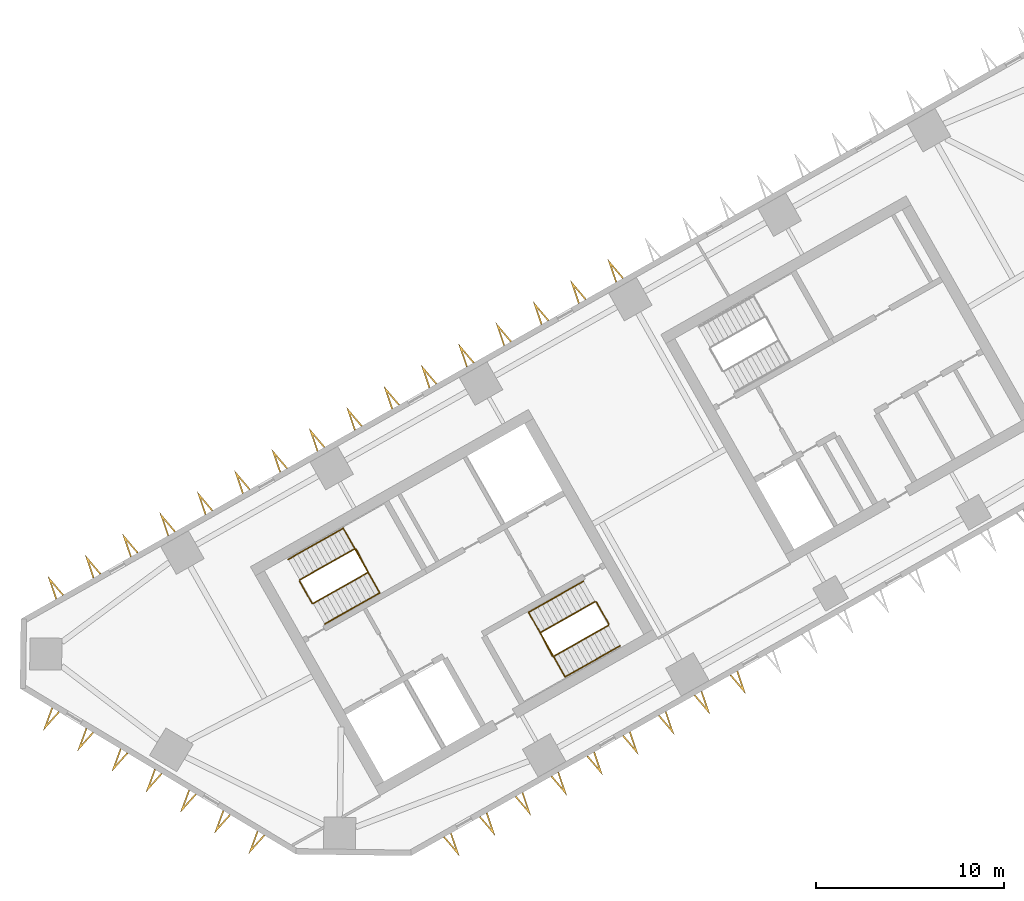
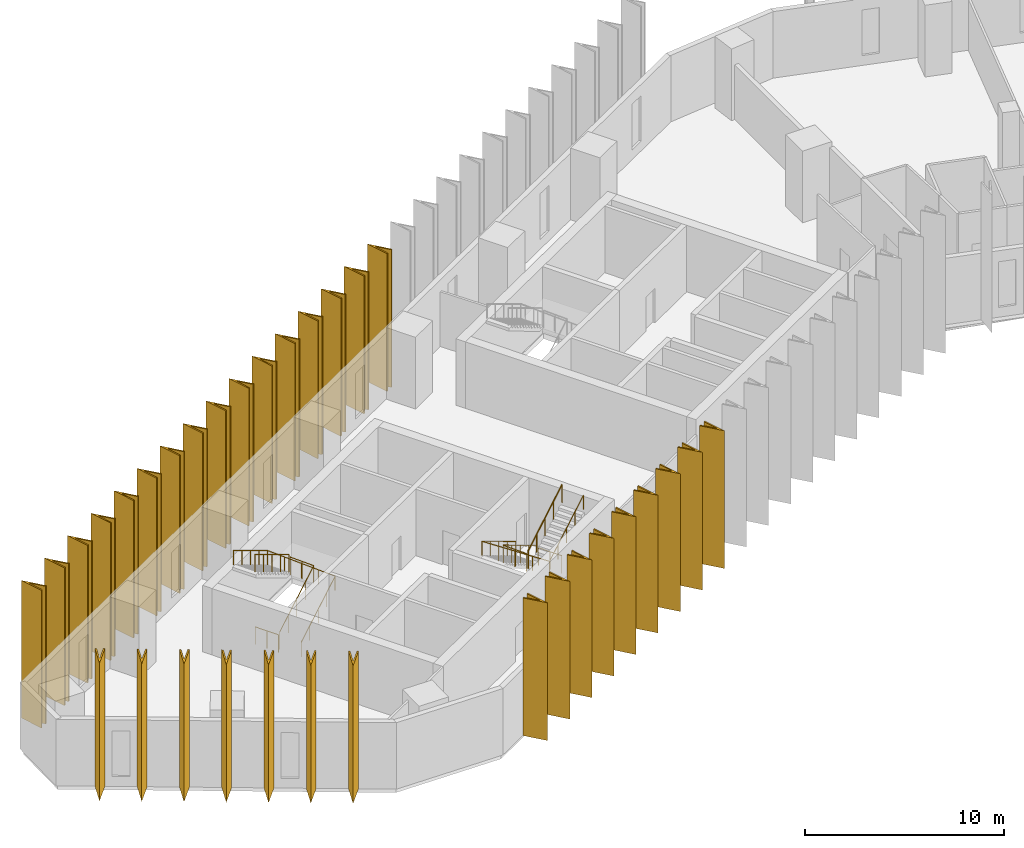
# One storey, part 9 of 11: 32 shading devices, 8 railings.
"""IFC4 building model written with IfcOpenShell, lengths in metres."""

from ifc_helpers import new_model, si_unit, direction, frame, origin, origin_2d, place, context, subcontext, project, spatial, polyline, circle, outline, extrude, material, type_object, element, save


model = new_model("IFC4")

# Units and contexts
model_context = context("Model", 3, precision=1e-05, world=origin(), true_north=direction((0.0, 1.0)))
body_context = subcontext(model_context, "Body", "Model", "MODEL_VIEW")
ifc_project = project(units=[si_unit("LENGTHUNIT", "METRE"), si_unit("AREAUNIT", "SQUARE_METRE"), si_unit("VOLUMEUNIT", "CUBIC_METRE"), si_unit("PLANEANGLEUNIT", "RADIAN"), si_unit("MASSUNIT", "GRAM", prefix="KILO")], contexts=[model_context])

# Site, building, storey
site_placement = place(None, origin())
site = spatial("IfcSite", under=ifc_project, at=site_placement, CompositionType="ELEMENT")
building_placement = place(site_placement, origin())
building = spatial("IfcBuilding", under=site, at=building_placement, Name="Binnacle Exchange Tower", CompositionType="ELEMENT")
storey_placement = place(building_placement, frame((0.0, 0.0, 141.10009765625)))
storey = spatial("IfcBuildingStorey", under=building, at=storey_placement, Name="L29", CompositionType="ELEMENT", Elevation=141.10009765625)

# Railings
ifc_material_1 = material(Name="Steel guard rail", Category="steel")
railing_type_1 = type_object("IfcRailingType", Name="STAIR GUARD 1100", PredefinedType="GUARDRAIL", material=ifc_material_1)
railing_1_placement = place(storey_placement, frame((-43.26171875, 39.71728515625, 0.169189453125)))
element("IfcRailing", 1, at=railing_1_placement, inside=storey, type_object=railing_type_1, Name="L29 STA1 stair guard 1", PredefinedType="GUARDRAIL", context=body_context, shape_type="SweptSolid", body=[
    extrude(circle(Radius=0.02392578125, at=origin_2d()), frame((0.0, 0.0, 1.076171875), z_axis=(0.744867460262, 0.421436531824, 0.517265614832), x_axis=(-0.492433119026, 0.870350287693, 0.0)), (0.0, 0.0, 1.0), 3.926025390625),
    extrude(circle(Radius=0.02392578125, at=origin_2d()), frame((2.92431640625, 1.654541015625, 3.10693359375), z_axis=(-0.460963092712, 0.887419307406, 0.0), x_axis=(-0.887419307406, -0.460963092712, 0.0)), (0.0, 0.0, 1.0), 1.40087890625),
    extrude(circle(Radius=0.02099609375, at=origin_2d()), origin(), (0.0, 0.0, 1.0), 1.052001953125),
    extrude(circle(Radius=0.02099609375, at=origin_2d()), frame((0.73095703125, 0.41357421875, 0.5078125)), (0.0, 0.0, 1.0), 1.052001953125),
    extrude(circle(Radius=0.02099609375, at=origin_2d()), frame((1.462158203125, 0.8271484375, 1.015380859375)), (0.0, 0.0, 1.0), 1.052001953125),
    extrude(circle(Radius=0.02099609375, at=origin_2d()), frame((2.193359375, 1.240966796875, 1.52294921875)), (0.0, 0.0, 1.0), 1.052001953125),
    extrude(circle(Radius=0.02099609375, at=origin_2d()), frame((2.92431640625, 1.654541015625, 2.03076171875)), (0.0, 0.0, 1.0), 1.052001953125),
    extrude(circle(Radius=0.02099609375, at=origin_2d()), frame((2.6015625, 2.276123046875, 2.03076171875)), (0.0, 0.0, 1.0), 1.052001953125),
    extrude(circle(Radius=0.02099609375, at=origin_2d()), frame((2.278564453125, 2.897705078125, 2.03076171875)), (0.0, 0.0, 1.0), 1.052001953125),
])
railing_2_placement = place(storey_placement, frame((-41.05126953125, 42.6337890625, 2.369140625)))
element("IfcRailing", 2, at=railing_2_placement, inside=storey, type_object=railing_type_1, Name="L29 STA1 stair guard 2", PredefinedType="GUARDRAIL", context=body_context, shape_type="SweptSolid", body=[
    extrude(circle(Radius=0.02392578125, at=origin_2d()), frame((0.0, 0.0, 1.076171875), z_axis=(-0.744895141965, -0.421417011194, 0.517241655469), x_axis=(0.49240197835, -0.870367905955, 0.0)), (0.0, 0.0, 1.0), 3.926025390625),
    extrude(circle(Radius=0.02099609375, at=origin_2d()), origin(), (0.0, 0.0, 1.0), 1.052001953125),
    extrude(circle(Radius=0.02099609375, at=origin_2d()), frame((-0.731201171875, -0.41357421875, 0.5078125)), (0.0, 0.0, 1.0), 1.052001953125),
    extrude(circle(Radius=0.02099609375, at=origin_2d()), frame((-1.46240234375, -0.8271484375, 1.015380859375)), (0.0, 0.0, 1.0), 1.052001953125),
    extrude(circle(Radius=0.02099609375, at=origin_2d()), frame((-2.193359375, -1.240966796875, 1.52294921875)), (0.0, 0.0, 1.0), 1.052001953125),
    extrude(circle(Radius=0.02099609375, at=origin_2d()), frame((-2.924560546875, -1.654541015625, 2.03076171875)), (0.0, 0.0, 1.0), 1.052001953125),
])
railing_3_placement = place(storey_placement, frame((-43.329833984375, 39.736328125, 0.0)))
element("IfcRailing", 3, at=railing_3_placement, inside=storey, type_object=railing_type_1, Name="L29 STA1 stair guard 3", PredefinedType="GUARDRAIL", context=body_context, shape_type="SweptSolid", body=[
    extrude(circle(Radius=0.02392578125, at=origin_2d()), frame((0.0, 0.0, 1.076171875), z_axis=(-0.4924922531, 0.870316827734, 0.0), x_axis=(-0.870316827734, -0.4924922531, 0.0)), (0.0, 0.0, 1.0), 1.349853515625),
    extrude(circle(Radius=0.02099609375, at=origin_2d()), origin(), (0.0, 0.0, 1.0), 1.052001953125),
    extrude(circle(Radius=0.02099609375, at=origin_2d()), frame((-0.33251953125, 0.58740234375, 0.0)), (0.0, 0.0, 1.0), 1.052001953125),
    extrude(circle(Radius=0.02099609375, at=origin_2d()), frame((-0.664794921875, 1.1748046875, 0.0)), (0.0, 0.0, 1.0), 1.052001953125),
])
railing_4_placement = place(storey_placement, frame((-28.265380859375, 39.814453125, 0.169189453125)))
element("IfcRailing", 4, at=railing_4_placement, inside=storey, type_object=railing_type_1, Name="L29 STA2 stair guard 1", PredefinedType="GUARDRAIL", context=body_context, shape_type="SweptSolid", body=[
    extrude(circle(Radius=0.02392578125, at=origin_2d()), frame((0.0, 0.0, 1.076171875), z_axis=(-0.744895141965, -0.421417011194, 0.517241655469), x_axis=(0.49240197835, -0.870367905955, 0.0)), (0.0, 0.0, 1.0), 3.926025390625),
    extrude(circle(Radius=0.02392578125, at=origin_2d()), frame((-2.924560546875, -1.654541015625, 3.10693359375), z_axis=(0.461100321709, -0.887348011391, 0.0), x_axis=(0.887348011391, 0.461100321709, 0.0)), (0.0, 0.0, 1.0), 1.40087890625),
    extrude(circle(Radius=0.02099609375, at=origin_2d()), origin(), (0.0, 0.0, 1.0), 1.052001953125),
    extrude(circle(Radius=0.02099609375, at=origin_2d()), frame((-0.731201171875, -0.41357421875, 0.5078125)), (0.0, 0.0, 1.0), 1.052001953125),
    extrude(circle(Radius=0.02099609375, at=origin_2d()), frame((-1.46240234375, -0.8271484375, 1.015380859375)), (0.0, 0.0, 1.0), 1.052001953125),
    extrude(circle(Radius=0.02099609375, at=origin_2d()), frame((-2.193359375, -1.240966796875, 1.52294921875)), (0.0, 0.0, 1.0), 1.052001953125),
    extrude(circle(Radius=0.02099609375, at=origin_2d()), frame((-2.924560546875, -1.654541015625, 2.03076171875)), (0.0, 0.0, 1.0), 1.052001953125),
    extrude(circle(Radius=0.02099609375, at=origin_2d()), frame((-2.6015625, -2.276123046875, 2.03076171875)), (0.0, 0.0, 1.0), 1.052001953125),
    extrude(circle(Radius=0.02099609375, at=origin_2d()), frame((-2.278564453125, -2.897705078125, 2.03076171875)), (0.0, 0.0, 1.0), 1.052001953125),
])
railing_5_placement = place(storey_placement, frame((-30.475830078125, 36.89794921875, 2.369140625)))
element("IfcRailing", 5, at=railing_5_placement, inside=storey, type_object=railing_type_1, Name="L29 STA2 stair guard 2", PredefinedType="GUARDRAIL", context=body_context, shape_type="SweptSolid", body=[
    extrude(circle(Radius=0.02392578125, at=origin_2d()), frame((0.0, 0.0, 1.076171875), z_axis=(0.744867460262, 0.421436531824, 0.517265614832), x_axis=(-0.492433119026, 0.870350287693, 0.0)), (0.0, 0.0, 1.0), 3.926025390625),
    extrude(circle(Radius=0.02099609375, at=origin_2d()), origin(), (0.0, 0.0, 1.0), 1.052001953125),
    extrude(circle(Radius=0.02099609375, at=origin_2d()), frame((0.73095703125, 0.41357421875, 0.5078125)), (0.0, 0.0, 1.0), 1.052001953125),
    extrude(circle(Radius=0.02099609375, at=origin_2d()), frame((1.462158203125, 0.8271484375, 1.015380859375)), (0.0, 0.0, 1.0), 1.052001953125),
    extrude(circle(Radius=0.02099609375, at=origin_2d()), frame((2.193359375, 1.240966796875, 1.52294921875)), (0.0, 0.0, 1.0), 1.052001953125),
    extrude(circle(Radius=0.02099609375, at=origin_2d()), frame((2.92431640625, 1.654541015625, 2.03076171875)), (0.0, 0.0, 1.0), 1.052001953125),
])
railing_6_placement = place(storey_placement, frame((-28.197265625, 39.795654296875, 0.0)))
element("IfcRailing", 6, at=railing_6_placement, inside=storey, type_object=railing_type_1, Name="L29 STA2 stair guard 3", PredefinedType="GUARDRAIL", context=body_context, shape_type="SweptSolid", body=[
    extrude(circle(Radius=0.02392578125, at=origin_2d()), frame((0.0, 0.0, 1.076171875), z_axis=(0.49241474071, -0.870360685654, 0.0), x_axis=(0.870360685654, 0.49241474071, 0.0)), (0.0, 0.0, 1.0), 1.35009765625),
    extrude(circle(Radius=0.02099609375, at=origin_2d()), origin(), (0.0, 0.0, 1.0), 1.052001953125),
    extrude(circle(Radius=0.02099609375, at=origin_2d()), frame((0.33251953125, -0.58740234375, 0.0)), (0.0, 0.0, 1.0), 1.052001953125),
    extrude(circle(Radius=0.02099609375, at=origin_2d()), frame((0.664794921875, -1.175048828125, 0.0)), (0.0, 0.0, 1.0), 1.052001953125),
])
ifc_material_2 = material(Name="Steel handrail", Category="steel")
railing_type_2 = type_object("IfcRailingType", Name="STAIR HANDRAIL 900", PredefinedType="HANDRAIL", material=ifc_material_2)
railing_7_placement = place(storey_placement, frame((-42.646240234375, 38.62939453125, 0.169189453125)))
element("IfcRailing", 7, at=railing_7_placement, inside=storey, type_object=railing_type_2, Name="L29 STA1 stair handrail 1", PredefinedType="HANDRAIL", context=body_context, shape_type="SweptSolid", body=[
    extrude(circle(Radius=0.02392578125, at=origin_2d()), frame((0.0, 0.0, 0.8759765625), z_axis=(0.744867460262, 0.421436531824, 0.517265614832), x_axis=(-0.492433119026, 0.870350287693, 0.0)), (0.0, 0.0, 1.0), 3.926025390625),
    extrude(circle(Radius=0.02392578125, at=origin_2d()), frame((2.92431640625, 1.654541015625, 2.90673828125), z_axis=(-0.491962556146, 0.869564041126, 0.04279277663), x_axis=(-0.870361318571, -0.492413622004, 0.0)), (0.0, 0.0, 1.0), 3.95361328125),
    extrude(circle(Radius=0.02392578125, at=origin_2d()), frame((0.979248046875, 5.092529296875, 3.07568359375), z_axis=(-0.744867460262, -0.421436531824, 0.517265614832), x_axis=(0.492433119026, -0.870350287693, 0.0)), (0.0, 0.0, 1.0), 3.926025390625),
    extrude(circle(Radius=0.02099609375, at=origin_2d()), origin(), (0.0, 0.0, 1.0), 0.851806640625),
    extrude(circle(Radius=0.02099609375, at=origin_2d()), frame((0.73095703125, 0.41357421875, 0.5078125)), (0.0, 0.0, 1.0), 0.851806640625),
    extrude(circle(Radius=0.02099609375, at=origin_2d()), frame((1.462158203125, 0.8271484375, 1.015380859375)), (0.0, 0.0, 1.0), 0.851806640625),
    extrude(circle(Radius=0.02099609375, at=origin_2d()), frame((2.193359375, 1.240966796875, 1.52294921875)), (0.0, 0.0, 1.0), 0.851806640625),
    extrude(circle(Radius=0.02099609375, at=origin_2d()), frame((2.92431640625, 1.654541015625, 2.03076171875)), (0.0, 0.0, 1.0), 0.851806640625),
    extrude(circle(Radius=0.02099609375, at=origin_2d()), frame((2.43798828125, 2.51416015625, 2.072998046875)), (0.0, 0.0, 1.0), 0.851806640625),
    extrude(circle(Radius=0.02099609375, at=origin_2d()), frame((1.95166015625, 3.37353515625, 2.115234375)), (0.0, 0.0, 1.0), 0.851806640625),
    extrude(circle(Radius=0.02099609375, at=origin_2d()), frame((1.465576171875, 4.23291015625, 2.15771484375)), (0.0, 0.0, 1.0), 0.851806640625),
    extrude(circle(Radius=0.02099609375, at=origin_2d()), frame((0.979248046875, 5.092529296875, 2.199951171875)), (0.0, 0.0, 1.0), 0.851806640625),
    extrude(circle(Radius=0.02099609375, at=origin_2d()), frame((0.248046875, 4.678955078125, 2.70751953125)), (0.0, 0.0, 1.0), 0.851806640625),
    extrude(circle(Radius=0.02099609375, at=origin_2d()), frame((-0.48291015625, 4.26513671875, 3.21533203125)), (0.0, 0.0, 1.0), 0.851806640625),
    extrude(circle(Radius=0.02099609375, at=origin_2d()), frame((-1.2138671875, 3.8515625, 3.72314453125)), (0.0, 0.0, 1.0), 0.851806640625),
    extrude(circle(Radius=0.02099609375, at=origin_2d()), frame((-1.945068359375, 3.43798828125, 4.230712890625)), (0.0, 0.0, 1.0), 0.851806640625),
])
railing_8_placement = place(storey_placement, frame((-28.880859375, 40.90234375, 0.169189453125)))
element("IfcRailing", 8, at=railing_8_placement, inside=storey, type_object=railing_type_2, Name="L29 STA2 stair handrail 1", PredefinedType="HANDRAIL", context=body_context, shape_type="SweptSolid", body=[
    extrude(circle(Radius=0.02392578125, at=origin_2d()), frame((0.0, 0.0, 0.8759765625), z_axis=(-0.744895141965, -0.421417011194, 0.517241655469), x_axis=(0.49240197835, -0.870367905955, 0.0)), (0.0, 0.0, 1.0), 3.926025390625),
    extrude(circle(Radius=0.02392578125, at=origin_2d()), frame((-2.924560546875, -1.654541015625, 2.90673828125), z_axis=(0.491988973567, -0.869548981648, 0.042795074518), x_axis=(0.87034633103, 0.492440112159, 0.0)), (0.0, 0.0, 1.0), 3.953369140625),
    extrude(circle(Radius=0.02392578125, at=origin_2d()), frame((-0.9794921875, -5.09228515625, 3.07568359375), z_axis=(0.744895141965, 0.421417011194, 0.517241655469), x_axis=(-0.49240197835, 0.870367905955, 0.0)), (0.0, 0.0, 1.0), 3.926025390625),
    extrude(circle(Radius=0.02099609375, at=origin_2d()), origin(), (0.0, 0.0, 1.0), 0.851806640625),
    extrude(circle(Radius=0.02099609375, at=origin_2d()), frame((-0.731201171875, -0.41357421875, 0.5078125)), (0.0, 0.0, 1.0), 0.851806640625),
    extrude(circle(Radius=0.02099609375, at=origin_2d()), frame((-1.46240234375, -0.8271484375, 1.015380859375)), (0.0, 0.0, 1.0), 0.851806640625),
    extrude(circle(Radius=0.02099609375, at=origin_2d()), frame((-2.193359375, -1.240966796875, 1.52294921875)), (0.0, 0.0, 1.0), 0.851806640625),
    extrude(circle(Radius=0.02099609375, at=origin_2d()), frame((-2.924560546875, -1.654541015625, 2.03076171875)), (0.0, 0.0, 1.0), 0.851806640625),
    extrude(circle(Radius=0.02099609375, at=origin_2d()), frame((-2.438232421875, -2.513916015625, 2.072998046875)), (0.0, 0.0, 1.0), 0.851806640625),
    extrude(circle(Radius=0.02099609375, at=origin_2d()), frame((-1.9521484375, -3.37353515625, 2.115234375)), (0.0, 0.0, 1.0), 0.851806640625),
    extrude(circle(Radius=0.02099609375, at=origin_2d()), frame((-1.4658203125, -4.23291015625, 2.15771484375)), (0.0, 0.0, 1.0), 0.851806640625),
    extrude(circle(Radius=0.02099609375, at=origin_2d()), frame((-0.9794921875, -5.09228515625, 2.199951171875)), (0.0, 0.0, 1.0), 0.851806640625),
    extrude(circle(Radius=0.02099609375, at=origin_2d()), frame((-0.248291015625, -4.6787109375, 2.70751953125)), (0.0, 0.0, 1.0), 0.851806640625),
    extrude(circle(Radius=0.02099609375, at=origin_2d()), frame((0.48291015625, -4.26513671875, 3.21533203125)), (0.0, 0.0, 1.0), 0.851806640625),
    extrude(circle(Radius=0.02099609375, at=origin_2d()), frame((1.2138671875, -3.851318359375, 3.72314453125)), (0.0, 0.0, 1.0), 0.851806640625),
    extrude(circle(Radius=0.02099609375, at=origin_2d()), frame((1.945068359375, -3.437744140625, 4.230712890625)), (0.0, 0.0, 1.0), 0.851806640625),
])

# Shading devices
ifc_material_3 = material(Name="Bronze aluminium cladding", Category="aluminium")
shading_device_type = type_object("IfcShadingDeviceType", Name="V FIN 1300 DEEP x 8450 HIGH", PredefinedType="USERDEFINED", material=ifc_material_3)
shading_device_1_placement = place(storey_placement, origin())
element("IfcShadingDevice", 9, at=shading_device_1_placement, inside=storey, type_object=shading_device_type, Name="V fin FN-F03-12 L29", ObjectType="FIN", PredefinedType="USERDEFINED", context=body_context, shape_type="SweptSolid", body=[
    extrude(outline(polyline([(-26.7412109375, 57.04296875), (-27.59912109375, 58.05126953125), (-27.176513671875, 56.796630859375), (-27.10546875, 56.8369140625), (-27.390380859375, 57.6826171875), (-26.81201171875, 57.002685546875), (-26.7412109375, 57.04296875)])), origin(), (0.0, 0.0, 1.0), 8.449951171875),
])
shading_device_2_placement = place(storey_placement, origin())
element("IfcShadingDevice", 10, at=shading_device_2_placement, inside=storey, type_object=shading_device_type, Name="V fin FN-F03-13 L29", ObjectType="FIN", PredefinedType="USERDEFINED", context=body_context, shape_type="SweptSolid", body=[
    extrude(outline(polyline([(-28.727783203125, 55.9189453125), (-29.58544921875, 56.92724609375), (-29.162841796875, 55.672607421875), (-29.092041015625, 55.712890625), (-29.376708984375, 56.55859375), (-28.798583984375, 55.87890625), (-28.727783203125, 55.9189453125)])), origin(), (0.0, 0.0, 1.0), 8.449951171875),
])
shading_device_3_placement = place(storey_placement, origin())
element("IfcShadingDevice", 11, at=shading_device_3_placement, inside=storey, type_object=shading_device_type, Name="V fin FN-F03-14 L29", ObjectType="FIN", PredefinedType="USERDEFINED", context=body_context, shape_type="SweptSolid", body=[
    extrude(outline(polyline([(-30.71435546875, 54.794921875), (-31.572021484375, 55.803466796875), (-31.1494140625, 54.548828125), (-31.07861328125, 54.5888671875), (-31.36328125, 55.434814453125), (-30.78515625, 54.7548828125), (-30.71435546875, 54.794921875)])), origin(), (0.0, 0.0, 1.0), 8.449951171875),
])
shading_device_4_placement = place(storey_placement, origin())
element("IfcShadingDevice", 12, at=shading_device_4_placement, inside=storey, type_object=shading_device_type, Name="V fin FN-F03-15 L29", ObjectType="FIN", PredefinedType="USERDEFINED", context=body_context, shape_type="SweptSolid", body=[
    extrude(outline(polyline([(-32.70068359375, 53.6708984375), (-33.55859375, 54.679443359375), (-33.135986328125, 53.4248046875), (-33.065185546875, 53.46484375), (-33.349853515625, 54.310791015625), (-32.771728515625, 53.630859375), (-32.70068359375, 53.6708984375)])), origin(), (0.0, 0.0, 1.0), 8.449951171875),
])
shading_device_5_placement = place(storey_placement, origin())
element("IfcShadingDevice", 13, at=shading_device_5_placement, inside=storey, type_object=shading_device_type, Name="V fin FN-F03-16 L29", ObjectType="FIN", PredefinedType="USERDEFINED", context=body_context, shape_type="SweptSolid", body=[
    extrude(outline(polyline([(-34.687255859375, 52.547119140625), (-35.545166015625, 53.555419921875), (-35.12255859375, 52.30078125), (-35.051513671875, 52.341064453125), (-35.33642578125, 53.186767578125), (-34.75830078125, 52.507080078125), (-34.687255859375, 52.547119140625)])), origin(), (0.0, 0.0, 1.0), 8.449951171875),
])
shading_device_6_placement = place(storey_placement, origin())
element("IfcShadingDevice", 14, at=shading_device_6_placement, inside=storey, type_object=shading_device_type, Name="V fin FN-F03-17 L29", ObjectType="FIN", PredefinedType="USERDEFINED", context=body_context, shape_type="SweptSolid", body=[
    extrude(outline(polyline([(-36.673828125, 51.423095703125), (-37.53173828125, 52.431640625), (-37.109130859375, 51.177001953125), (-37.0380859375, 51.217041015625), (-37.322998046875, 52.06298828125), (-36.744873046875, 51.383056640625), (-36.673828125, 51.423095703125)])), origin(), (0.0, 0.0, 1.0), 8.449951171875),
])
shading_device_7_placement = place(storey_placement, origin())
element("IfcShadingDevice", 15, at=shading_device_7_placement, inside=storey, type_object=shading_device_type, Name="V fin FN-F03-18 L29", ObjectType="FIN", PredefinedType="USERDEFINED", context=body_context, shape_type="SweptSolid", body=[
    extrude(outline(polyline([(-38.660400390625, 50.29931640625), (-39.518310546875, 51.3076171875), (-39.095703125, 50.052978515625), (-39.02490234375, 50.093017578125), (-39.3095703125, 50.93896484375), (-38.7314453125, 50.259033203125), (-38.660400390625, 50.29931640625)])), origin(), (0.0, 0.0, 1.0), 8.449951171875),
])
shading_device_8_placement = place(storey_placement, origin())
element("IfcShadingDevice", 16, at=shading_device_8_placement, inside=storey, type_object=shading_device_type, Name="V fin FN-F03-19 L29", ObjectType="FIN", PredefinedType="USERDEFINED", context=body_context, shape_type="SweptSolid", body=[
    extrude(outline(polyline([(-40.64697265625, 49.17529296875), (-41.5048828125, 50.18359375), (-41.082275390625, 48.92919921875), (-41.01123046875, 48.96923828125), (-41.296142578125, 49.81494140625), (-40.718017578125, 49.13525390625), (-40.64697265625, 49.17529296875)])), origin(), (0.0, 0.0, 1.0), 8.449951171875),
])
shading_device_9_placement = place(storey_placement, origin())
element("IfcShadingDevice", 17, at=shading_device_9_placement, inside=storey, type_object=shading_device_type, Name="V fin FN-F03-20 L29", ObjectType="FIN", PredefinedType="USERDEFINED", context=body_context, shape_type="SweptSolid", body=[
    extrude(outline(polyline([(-42.633544921875, 48.05126953125), (-43.491455078125, 49.059814453125), (-43.06884765625, 47.80517578125), (-42.997802734375, 47.84521484375), (-43.28271484375, 48.69091796875), (-42.70458984375, 48.01123046875), (-42.633544921875, 48.05126953125)])), origin(), (0.0, 0.0, 1.0), 8.449951171875),
])
shading_device_10_placement = place(storey_placement, origin())
element("IfcShadingDevice", 18, at=shading_device_10_placement, inside=storey, type_object=shading_device_type, Name="V fin FN-F03-21 L29", ObjectType="FIN", PredefinedType="USERDEFINED", context=body_context, shape_type="SweptSolid", body=[
    extrude(outline(polyline([(-44.6201171875, 46.927490234375), (-45.47802734375, 47.935791015625), (-45.055419921875, 46.68115234375), (-44.984619140625, 46.72119140625), (-45.269287109375, 47.567138671875), (-44.691162109375, 46.88720703125), (-44.6201171875, 46.927490234375)])), origin(), (0.0, 0.0, 1.0), 8.449951171875),
])
shading_device_11_placement = place(storey_placement, origin())
element("IfcShadingDevice", 19, at=shading_device_11_placement, inside=storey, type_object=shading_device_type, Name="V fin FN-F03-22 L29", ObjectType="FIN", PredefinedType="USERDEFINED", context=body_context, shape_type="SweptSolid", body=[
    extrude(outline(polyline([(-46.606689453125, 45.803466796875), (-47.464599609375, 46.81201171875), (-47.0419921875, 45.557373046875), (-46.970947265625, 45.597412109375), (-47.255859375, 46.443115234375), (-46.677490234375, 45.763427734375), (-46.606689453125, 45.803466796875)])), origin(), (0.0, 0.0, 1.0), 8.449951171875),
])
shading_device_12_placement = place(storey_placement, origin())
element("IfcShadingDevice", 20, at=shading_device_12_placement, inside=storey, type_object=shading_device_type, Name="V fin FN-F03-23 L29", ObjectType="FIN", PredefinedType="USERDEFINED", context=body_context, shape_type="SweptSolid", body=[
    extrude(outline(polyline([(-48.59326171875, 44.679443359375), (-49.451171875, 45.68798828125), (-49.028564453125, 44.433349609375), (-48.95751953125, 44.473388671875), (-49.242431640625, 45.319091796875), (-48.664306640625, 44.639404296875), (-48.59326171875, 44.679443359375)])), origin(), (0.0, 0.0, 1.0), 8.449951171875),
])
shading_device_13_placement = place(storey_placement, origin())
element("IfcShadingDevice", 21, at=shading_device_13_placement, inside=storey, type_object=shading_device_type, Name="V fin FN-F03-24 L29", ObjectType="FIN", PredefinedType="USERDEFINED", context=body_context, shape_type="SweptSolid", body=[
    extrude(outline(polyline([(-50.579833984375, 43.5556640625), (-51.4375, 44.56396484375), (-51.014892578125, 43.309326171875), (-50.944091796875, 43.349609375), (-51.22900390625, 44.1953125), (-50.650634765625, 43.515380859375), (-50.579833984375, 43.5556640625)])), origin(), (0.0, 0.0, 1.0), 8.449951171875),
])
shading_device_14_placement = place(storey_placement, origin())
element("IfcShadingDevice", 22, at=shading_device_14_placement, inside=storey, type_object=shading_device_type, Name="V fin FN-F03-25 L29", ObjectType="FIN", PredefinedType="USERDEFINED", context=body_context, shape_type="SweptSolid", body=[
    extrude(outline(polyline([(-52.56640625, 42.431640625), (-53.42431640625, 43.440185546875), (-53.001708984375, 42.185546875), (-52.9306640625, 42.2255859375), (-53.215576171875, 43.0712890625), (-52.63720703125, 42.3916015625), (-52.56640625, 42.431640625)])), origin(), (0.0, 0.0, 1.0), 8.449951171875),
])
shading_device_15_placement = place(storey_placement, origin())
element("IfcShadingDevice", 23, at=shading_device_15_placement, inside=storey, type_object=shading_device_type, Name="V fin FN-F03-26 L29", ObjectType="FIN", PredefinedType="USERDEFINED", context=body_context, shape_type="SweptSolid", body=[
    extrude(outline(polyline([(-54.552978515625, 41.3076171875), (-55.410888671875, 42.316162109375), (-54.98828125, 41.0615234375), (-54.917236328125, 41.1015625), (-55.2021484375, 41.947509765625), (-54.623779296875, 41.267578125), (-54.552978515625, 41.3076171875)])), origin(), (0.0, 0.0, 1.0), 8.449951171875),
])
shading_device_16_placement = place(storey_placement, origin())
element("IfcShadingDevice", 24, at=shading_device_16_placement, inside=storey, type_object=shading_device_type, Name="V fin FN-F03-27 L29", ObjectType="FIN", PredefinedType="USERDEFINED", context=body_context, shape_type="SweptSolid", body=[
    extrude(outline(polyline([(-56.53955078125, 40.183837890625), (-57.397216796875, 41.192138671875), (-56.974609375, 39.9375), (-56.90380859375, 39.977783203125), (-57.188720703125, 40.823486328125), (-56.6103515625, 40.143798828125), (-56.53955078125, 40.183837890625)])), origin(), (0.0, 0.0, 1.0), 8.449951171875),
])
shading_device_17_placement = place(storey_placement, origin())
element("IfcShadingDevice", 25, at=shading_device_17_placement, inside=storey, type_object=shading_device_type, Name="V fin FN-F05-01 L29", ObjectType="FIN", PredefinedType="USERDEFINED", context=body_context, shape_type="SweptSolid", body=[
    extrude(outline(polyline([(-57.18603515625, 34.185791015625), (-57.641357421875, 32.94287109375), (-56.757568359375, 33.92822265625), (-56.827392578125, 33.97021484375), (-57.423095703125, 33.305908203125), (-57.1162109375, 34.143798828125), (-57.18603515625, 34.185791015625)])), origin(), (0.0, 0.0, 1.0), 8.449951171875),
])
shading_device_18_placement = place(storey_placement, origin())
element("IfcShadingDevice", 26, at=shading_device_18_placement, inside=storey, type_object=shading_device_type, Name="V fin FN-F05-02 L29", ObjectType="FIN", PredefinedType="USERDEFINED", context=body_context, shape_type="SweptSolid", body=[
    extrude(outline(polyline([(-55.364501953125, 33.09130859375), (-55.81982421875, 31.848388671875), (-54.93603515625, 32.833740234375), (-55.005859375, 32.875732421875), (-55.601806640625, 32.21142578125), (-55.294921875, 33.04931640625), (-55.364501953125, 33.09130859375)])), origin(), (0.0, 0.0, 1.0), 8.449951171875),
])
shading_device_19_placement = place(storey_placement, origin())
element("IfcShadingDevice", 27, at=shading_device_19_placement, inside=storey, type_object=shading_device_type, Name="V fin FN-F05-03 L29", ObjectType="FIN", PredefinedType="USERDEFINED", context=body_context, shape_type="SweptSolid", body=[
    extrude(outline(polyline([(-53.543212890625, 31.9970703125), (-53.998291015625, 30.75390625), (-53.114501953125, 31.739501953125), (-53.184326171875, 31.781494140625), (-53.7802734375, 31.116943359375), (-53.473388671875, 31.955078125), (-53.543212890625, 31.9970703125)])), origin(), (0.0, 0.0, 1.0), 8.449951171875),
])
shading_device_20_placement = place(storey_placement, origin())
element("IfcShadingDevice", 28, at=shading_device_20_placement, inside=storey, type_object=shading_device_type, Name="V fin FN-F05-04 L29", ObjectType="FIN", PredefinedType="USERDEFINED", context=body_context, shape_type="SweptSolid", body=[
    extrude(outline(polyline([(-51.7216796875, 30.902587890625), (-52.1767578125, 29.659423828125), (-51.29296875, 30.64501953125), (-51.36279296875, 30.68701171875), (-51.958740234375, 30.0224609375), (-51.65185546875, 30.860595703125), (-51.7216796875, 30.902587890625)])), origin(), (0.0, 0.0, 1.0), 8.449951171875),
])
shading_device_21_placement = place(storey_placement, origin())
element("IfcShadingDevice", 29, at=shading_device_21_placement, inside=storey, type_object=shading_device_type, Name="V fin FN-F05-05 L29", ObjectType="FIN", PredefinedType="USERDEFINED", context=body_context, shape_type="SweptSolid", body=[
    extrude(outline(polyline([(-49.900146484375, 29.80810546875), (-50.35546875, 28.56494140625), (-49.4716796875, 29.55029296875), (-49.54150390625, 29.59228515625), (-50.13720703125, 28.927978515625), (-49.830322265625, 29.76611328125), (-49.900146484375, 29.80810546875)])), origin(), (0.0, 0.0, 1.0), 8.449951171875),
])
shading_device_22_placement = place(storey_placement, origin())
element("IfcShadingDevice", 30, at=shading_device_22_placement, inside=storey, type_object=shading_device_type, Name="V fin FN-F05-06 L29", ObjectType="FIN", PredefinedType="USERDEFINED", context=body_context, shape_type="SweptSolid", body=[
    extrude(outline(polyline([(-48.07861328125, 28.713623046875), (-48.533935546875, 27.470458984375), (-47.650146484375, 28.4560546875), (-47.719970703125, 28.498046875), (-48.31591796875, 27.83349609375), (-48.0087890625, 28.671630859375), (-48.07861328125, 28.713623046875)])), origin(), (0.0, 0.0, 1.0), 8.449951171875),
])
shading_device_23_placement = place(storey_placement, origin())
element("IfcShadingDevice", 31, at=shading_device_23_placement, inside=storey, type_object=shading_device_type, Name="V fin FN-F05-07 L29", ObjectType="FIN", PredefinedType="USERDEFINED", context=body_context, shape_type="SweptSolid", body=[
    extrude(outline(polyline([(-46.257080078125, 27.619140625), (-46.71240234375, 26.3759765625), (-45.82861328125, 27.361572265625), (-45.8984375, 27.403564453125), (-46.494384765625, 26.739013671875), (-46.1875, 27.5771484375), (-46.257080078125, 27.619140625)])), origin(), (0.0, 0.0, 1.0), 8.449951171875),
])
shading_device_24_placement = place(storey_placement, origin())
element("IfcShadingDevice", 32, at=shading_device_24_placement, inside=storey, type_object=shading_device_type, Name="V fin FN-F07-01 L29", ObjectType="FIN", PredefinedType="USERDEFINED", context=body_context, shape_type="SweptSolid", body=[
    extrude(outline(polyline([(-36.336669921875, 27.269287109375), (-35.47900390625, 26.260986328125), (-35.901611328125, 27.515625), (-35.972412109375, 27.4755859375), (-35.6875, 26.629638671875), (-36.265869140625, 27.3095703125), (-36.336669921875, 27.269287109375)])), origin(), (0.0, 0.0, 1.0), 8.449951171875),
])
shading_device_25_placement = place(storey_placement, origin())
element("IfcShadingDevice", 33, at=shading_device_25_placement, inside=storey, type_object=shading_device_type, Name="V fin FN-F07-02 L29", ObjectType="FIN", PredefinedType="USERDEFINED", context=body_context, shape_type="SweptSolid", body=[
    extrude(outline(polyline([(-34.431640625, 28.34716796875), (-33.573974609375, 27.338623046875), (-33.99658203125, 28.59326171875), (-34.0673828125, 28.55322265625), (-33.78271484375, 27.70751953125), (-34.36083984375, 28.38720703125), (-34.431640625, 28.34716796875)])), origin(), (0.0, 0.0, 1.0), 8.449951171875),
])
shading_device_26_placement = place(storey_placement, origin())
element("IfcShadingDevice", 34, at=shading_device_26_placement, inside=storey, type_object=shading_device_type, Name="V fin FN-F07-03 L29", ObjectType="FIN", PredefinedType="USERDEFINED", context=body_context, shape_type="SweptSolid", body=[
    extrude(outline(polyline([(-32.52685546875, 29.4248046875), (-31.669189453125, 28.41650390625), (-32.091796875, 29.671142578125), (-32.16259765625, 29.631103515625), (-31.877685546875, 28.78515625), (-32.4560546875, 29.465087890625), (-32.52685546875, 29.4248046875)])), origin(), (0.0, 0.0, 1.0), 8.449951171875),
])
shading_device_27_placement = place(storey_placement, origin())
element("IfcShadingDevice", 35, at=shading_device_27_placement, inside=storey, type_object=shading_device_type, Name="V fin FN-F07-04 L29", ObjectType="FIN", PredefinedType="USERDEFINED", context=body_context, shape_type="SweptSolid", body=[
    extrude(outline(polyline([(-30.6220703125, 30.502685546875), (-29.76416015625, 29.494140625), (-30.186767578125, 30.748779296875), (-30.2578125, 30.708740234375), (-29.972900390625, 29.86279296875), (-30.551025390625, 30.542724609375), (-30.6220703125, 30.502685546875)])), origin(), (0.0, 0.0, 1.0), 8.449951171875),
])
shading_device_28_placement = place(storey_placement, origin())
element("IfcShadingDevice", 36, at=shading_device_28_placement, inside=storey, type_object=shading_device_type, Name="V fin FN-F07-05 L29", ObjectType="FIN", PredefinedType="USERDEFINED", context=body_context, shape_type="SweptSolid", body=[
    extrude(outline(polyline([(-28.717041015625, 31.580322265625), (-27.859375, 30.572021484375), (-28.281982421875, 31.826416015625), (-28.352783203125, 31.786376953125), (-28.068115234375, 30.940673828125), (-28.646240234375, 31.620361328125), (-28.717041015625, 31.580322265625)])), origin(), (0.0, 0.0, 1.0), 8.449951171875),
])
shading_device_29_placement = place(storey_placement, origin())
element("IfcShadingDevice", 37, at=shading_device_29_placement, inside=storey, type_object=shading_device_type, Name="V fin FN-F07-06 L29", ObjectType="FIN", PredefinedType="USERDEFINED", context=body_context, shape_type="SweptSolid", body=[
    extrude(outline(polyline([(-26.812255859375, 32.658203125), (-25.954345703125, 31.649658203125), (-26.376953125, 32.904296875), (-26.447998046875, 32.8642578125), (-26.1630859375, 32.018310546875), (-26.7412109375, 32.6982421875), (-26.812255859375, 32.658203125)])), origin(), (0.0, 0.0, 1.0), 8.449951171875),
])
shading_device_30_placement = place(storey_placement, origin())
element("IfcShadingDevice", 38, at=shading_device_30_placement, inside=storey, type_object=shading_device_type, Name="V fin FN-F07-07 L29", ObjectType="FIN", PredefinedType="USERDEFINED", context=body_context, shape_type="SweptSolid", body=[
    extrude(outline(polyline([(-24.9072265625, 33.73583984375), (-24.049560546875, 32.727294921875), (-24.47216796875, 33.98193359375), (-24.54296875, 33.94189453125), (-24.25830078125, 33.09619140625), (-24.83642578125, 33.77587890625), (-24.9072265625, 33.73583984375)])), origin(), (0.0, 0.0, 1.0), 8.449951171875),
])
shading_device_31_placement = place(storey_placement, origin())
element("IfcShadingDevice", 39, at=shading_device_31_placement, inside=storey, type_object=shading_device_type, Name="V fin FN-F07-08 L29", ObjectType="FIN", PredefinedType="USERDEFINED", context=body_context, shape_type="SweptSolid", body=[
    extrude(outline(polyline([(-23.00244140625, 34.8134765625), (-22.14453125, 33.80517578125), (-22.567138671875, 35.059814453125), (-22.63818359375, 35.01953125), (-22.353271484375, 34.173828125), (-22.931396484375, 34.853515625), (-23.00244140625, 34.8134765625)])), origin(), (0.0, 0.0, 1.0), 8.449951171875),
])
shading_device_32_placement = place(storey_placement, origin())
element("IfcShadingDevice", 40, at=shading_device_32_placement, inside=storey, type_object=shading_device_type, Name="V fin FN-F07-09 L29", ObjectType="FIN", PredefinedType="USERDEFINED", context=body_context, shape_type="SweptSolid", body=[
    extrude(outline(polyline([(-21.097412109375, 35.891357421875), (-20.23974609375, 34.8828125), (-20.662353515625, 36.137451171875), (-20.733154296875, 36.097412109375), (-20.448486328125, 35.251708984375), (-21.026611328125, 35.931396484375), (-21.097412109375, 35.891357421875)])), origin(), (0.0, 0.0, 1.0), 8.449951171875),
])

save(model, "model.ifc")
